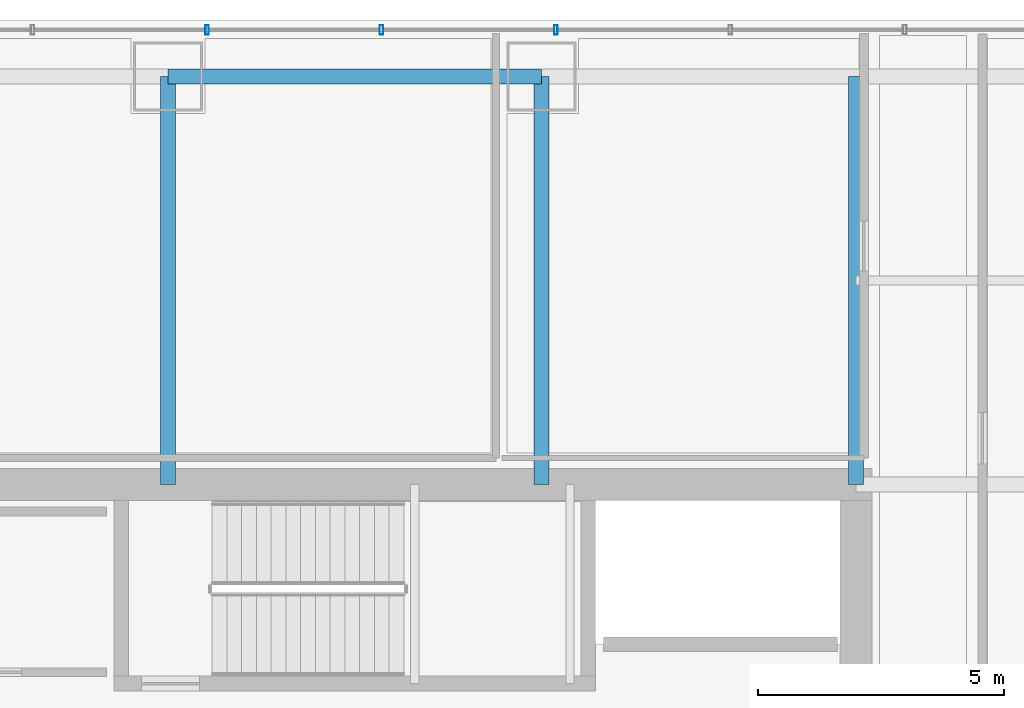
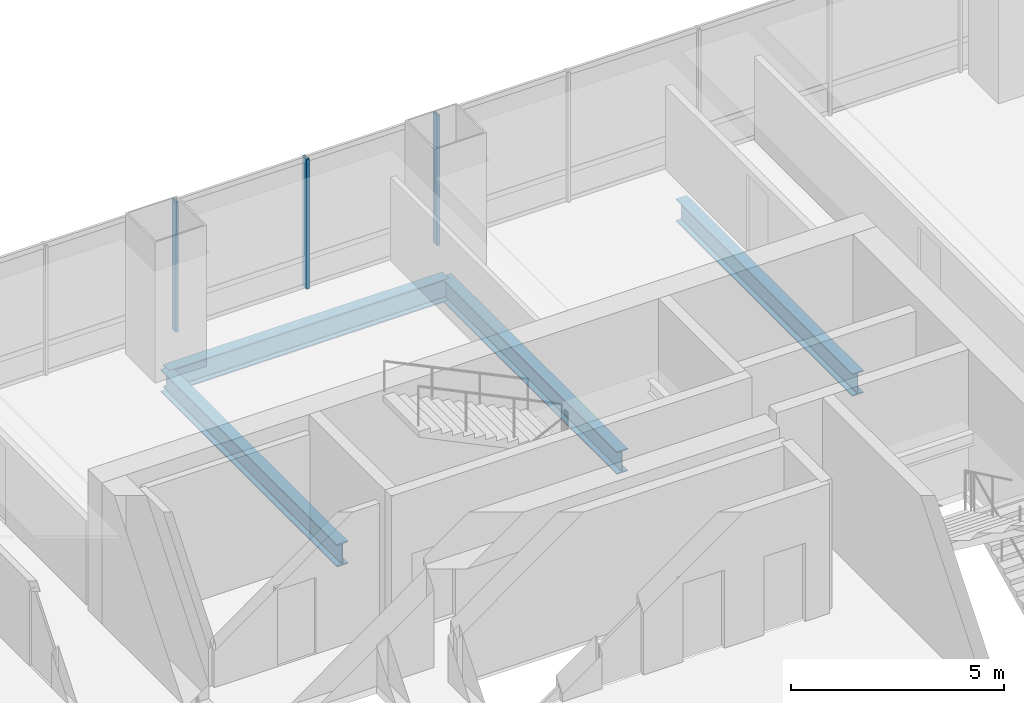
# One storey, part 23 of 35: 4 beams, 3 members, 1 element without a shape of its own.
"""IFC4 building model written with IfcOpenShell, lengths in metres."""

from ifc_helpers import new_model, si_unit, direction, frame, origin, origin_2d, place, context, subcontext, project, spatial, hollow_rectangle, i_section, extrude, material, material_profile, profile_set, type_object, element, aggregate, save


model = new_model("IFC4")

# Units and contexts
model_context = context("Model", 3, precision=1e-05, world=origin(), true_north=direction((0.0, 1.0)))
body_context = subcontext(model_context, "Body", "Model", "MODEL_VIEW")
ifc_project = project(units=[si_unit("LENGTHUNIT", "METRE"), si_unit("AREAUNIT", "SQUARE_METRE"), si_unit("VOLUMEUNIT", "CUBIC_METRE"), si_unit("PLANEANGLEUNIT", "RADIAN"), si_unit("MASSUNIT", "GRAM", prefix="KILO")], contexts=[model_context])

# Site, building, storey
site_placement = place(None, origin())
site = spatial("IfcSite", under=ifc_project, at=site_placement, CompositionType="ELEMENT")
building_placement = place(site_placement, origin())
building = spatial("IfcBuilding", under=site, at=building_placement, Name="Punatoya Terracotta Tower", CompositionType="ELEMENT")
storey_placement = place(building_placement, frame((0.0, 0.0, 232.949951171875)))
storey = spatial("IfcBuildingStorey", under=building, at=storey_placement, Name="L55", CompositionType="ELEMENT", Elevation=232.949951171875)

# Beams
ifc_material_1 = material(Name="Steel S355", Category="steel")
ifc_material_profile_1 = material_profile(ifc_material_1, i_section(OverallWidth=0.300048828125, OverallDepth=0.64990234375, WebThickness=0.01611328125, FlangeThickness=0.031005859375, FilletRadius=0.01806640625, at=origin_2d()))
ifc_profile_set_1 = profile_set([ifc_material_profile_1], Name="Steel S355")
beam_type = type_object("IfcBeamType", Name="BM-PRI-650", PredefinedType="BEAM", material=ifc_profile_set_1)
beam_placement = place(storey_placement, frame((-3.800048828125, 17.5, -0.544921875), z_axis=(1.0, 0.0, 0.0), x_axis=(0.0, 1.0, 0.0)))
element("IfcBeam", 1, at=beam_placement, inside=storey, type_object=beam_type, Name="BM-L55-RG-N2", PredefinedType="BEAM", context=body_context, shape_type="SweptSolid", body=[
    extrude(i_section(OverallWidth=0.300048828125, OverallDepth=0.64990234375, WebThickness=0.01611328125, FlangeThickness=0.031005859375, FilletRadius=0.01806640625, at=origin_2d()), origin(), (0.0, 0.0, 1.0), 7.60009765625),
])
for number, where, z_axis, x_axis, name in (
    (2, (-3.800048828125, 9.199951171875, -0.544921875), (0.0, 1.0, 0.0), (-1.0, 0.0, 0.0), "BM-L55-PR-N2"),
    (3, (3.800048828125, 9.199951171875, -0.544921875), (0.0, 1.0, 0.0), (-1.0, 0.0, 0.0), "BM-L55-PR-N3"),
    (4, (10.199951171875, 9.199951171875, -0.544921875), (0.0, 1.0, 0.0), (-1.0, 0.0, 0.0), "BM-L55-PR-N4"),
):
    element("IfcBeam", number, at=place(storey_placement, frame(where, z_axis=z_axis, x_axis=x_axis)), inside=storey, type_object=beam_type, Name=name, PredefinedType="BEAM", context=body_context, shape_type="SweptSolid", body=[
        extrude(i_section(OverallWidth=0.300048828125, OverallDepth=0.64990234375, WebThickness=0.01611328125, FlangeThickness=0.031005859375, FilletRadius=0.01806640625, at=origin_2d()), origin(), (0.0, 0.0, 1.0), 8.300048828125),
    ])

# Curtain wall, members
ifc_material_2 = material(Name="Aluminium 6063-T6 + Double Low-E Glass", Category="aluminium")
curtain_wall_type = type_object("IfcCurtainWallType", Name="CW-M2", PredefinedType="NOTDEFINED", material=ifc_material_2)
curtain_wall_placement = place(storey_placement, origin())
curtain_wall = element("IfcCurtainWall", 5, at=curtain_wall_placement, inside=storey, type_object=curtain_wall_type, Name="L55 Curtain Wall CW-L55-N08-1", PredefinedType="NOTDEFINED")
ifc_material_3 = material(Name="Aluminium 6063-T6", Category="aluminium")
ifc_material_profile_2 = material_profile(ifc_material_3, hollow_rectangle(XDim=0.072021484375, YDim=0.195068359375, WallThickness=0.00439453125, at=origin_2d()))
ifc_profile_set_2 = profile_set([ifc_material_profile_2], Name="Aluminium 6063-T6")
member_type = type_object("IfcMemberType", Name="CW-MUL-M2", PredefinedType="MULLION", material=ifc_profile_set_2)
member_1_placement = place(storey_placement, frame((4.093505859375, 18.449951171875, 0.0), z_axis=(0.0, 0.0, 1.0), x_axis=(1.0, 0.0, 0.0)))
member_1 = element("IfcMember", 6, at=member_1_placement, type_object=member_type, Name="CW-L55-N08-1 Mullion 05", PredefinedType="MULLION", context=body_context, shape_type="SweptSolid", body=[
    extrude(hollow_rectangle(XDim=0.072021484375, YDim=0.195068359375, WallThickness=0.00439453125, at=origin_2d()), origin(), (0.0, 0.0, 1.0), 3.72998046875),
])
member_2_placement = place(storey_placement, frame((0.544921875, 18.449951171875, 0.0), z_axis=(0.0, 0.0, 1.0), x_axis=(1.0, 0.0, 0.0)))
member_2 = element("IfcMember", 7, at=member_2_placement, type_object=member_type, Name="CW-L55-N08-1 Mullion 06", PredefinedType="MULLION", context=body_context, shape_type="SweptSolid", body=[
    extrude(hollow_rectangle(XDim=0.072021484375, YDim=0.195068359375, WallThickness=0.00439453125, at=origin_2d()), origin(), (0.0, 0.0, 1.0), 3.72998046875),
])
member_3_placement = place(storey_placement, frame((-3.00390625, 18.449951171875, 0.0), z_axis=(0.0, 0.0, 1.0), x_axis=(1.0, 0.0, 0.0)))
member_3 = element("IfcMember", 8, at=member_3_placement, type_object=member_type, Name="CW-L55-N08-1 Mullion 07", PredefinedType="MULLION", context=body_context, shape_type="SweptSolid", body=[
    extrude(hollow_rectangle(XDim=0.072021484375, YDim=0.195068359375, WallThickness=0.00439453125, at=origin_2d()), origin(), (0.0, 0.0, 1.0), 3.72998046875),
])
aggregate(curtain_wall, [member_1, member_2, member_3])

save(model, "model.ifc")
